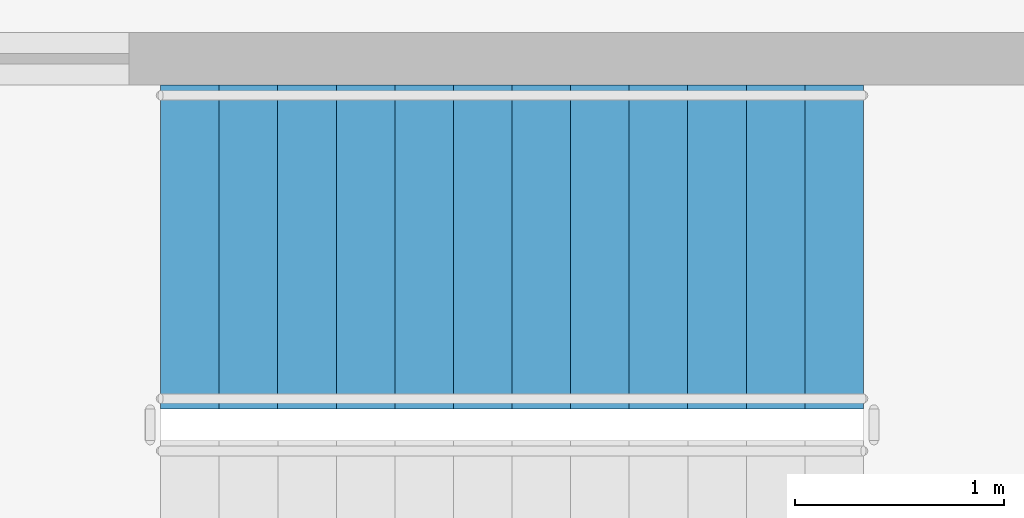
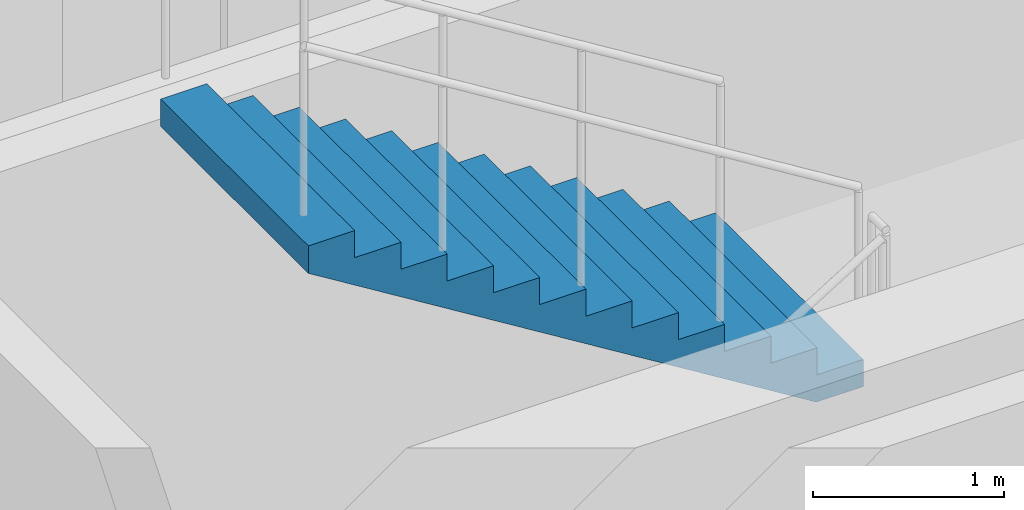
# One storey, part 19 of 25: 1 stair flight, 1 element without a shape of its own.
"""IFC4 building model written with IfcOpenShell, lengths in metres."""

from ifc_helpers import new_model, si_unit, direction, frame, origin, place, context, subcontext, project, spatial, polyline, outline, extrude, material, type_object, element, aggregate, save


model = new_model("IFC4")

# Units and contexts
model_context = context("Model", 3, precision=1e-05, world=origin(), true_north=direction((0.0, 1.0)))
body_context = subcontext(model_context, "Body", "Model", "MODEL_VIEW")
ifc_project = project(units=[si_unit("LENGTHUNIT", "METRE"), si_unit("AREAUNIT", "SQUARE_METRE"), si_unit("VOLUMEUNIT", "CUBIC_METRE"), si_unit("PLANEANGLEUNIT", "RADIAN"), si_unit("MASSUNIT", "GRAM", prefix="KILO")], contexts=[model_context])

# Site, building, storey
site_placement = place(None, origin())
site = spatial("IfcSite", under=ifc_project, at=site_placement, CompositionType="ELEMENT")
building_placement = place(site_placement, origin())
building = spatial("IfcBuilding", under=site, at=building_placement, Name="Amberfall Residences", CompositionType="ELEMENT")
storey_placement = place(building_placement, frame((0.0, 0.0, 10.0)))
storey = spatial("IfcBuildingStorey", under=building, at=storey_placement, Name="L02", CompositionType="ELEMENT", Elevation=10.0)

# Stair, stair flight
ifc_material = material(Name="Concrete C40", Category="concrete")
stair_type = type_object("IfcStairType", Name="School stair", PredefinedType="HALF_TURN_STAIR", material=ifc_material)
stair_placement = place(storey_placement, origin())
stair = element("IfcStair", 1, at=stair_placement, inside=storey, type_object=stair_type, Name="L02 Stair SS5", PredefinedType="HALF_TURN_STAIR")
stair_flight_type = type_object("IfcStairFlightType", Name="School stair flight", PredefinedType="STRAIGHT", material=ifc_material)
stair_flight_placement = place(storey_placement, frame((96.66796875, 71.47509765625, 2.25), z_axis=(0.0, 0.0, 1.0), x_axis=(-1.0, 0.0, 0.0)))
stair_flight = element("IfcStairFlight", 2, at=stair_flight_placement, type_object=stair_flight_type, Name="SS5 flight 2", NumberOfRisers=13, NumberOfTreads=12, PredefinedType="STRAIGHT", RiserHeight=0.173076923, TreadLength=0.28, context=body_context, shape_type="SweptSolid", body=[
    extrude(outline(polyline([(0.0, 0.0), (0.0, 0.173095703125), (0.280029296875, 0.173095703125), (0.280029296875, 0.34619140625), (0.56005859375, 0.34619140625), (0.56005859375, 0.519287109375), (0.840087890625, 0.519287109375), (0.840087890625, 0.6923828125), (1.1201171875, 0.6923828125), (1.1201171875, 0.865478515625), (1.39990234375, 0.865478515625), (1.39990234375, 1.03857421875), (1.679931640625, 1.03857421875), (1.679931640625, 1.21142578125), (1.9599609375, 1.21142578125), (1.9599609375, 1.384521484375), (2.239990234375, 1.384521484375), (2.239990234375, 1.5576171875), (2.52001953125, 1.5576171875), (2.52001953125, 1.730712890625), (2.800048828125, 1.730712890625), (2.800048828125, 1.90380859375), (3.080078125, 1.90380859375), (3.080078125, 2.076904296875), (3.360107421875, 2.076904296875), (3.360107421875, 2.25), (3.360107421875, 1.900634765625), (0.28515625, 0.0), (0.0, 0.0)])), frame((0.0, 0.77490234375, 0.0), z_axis=(0.0, -1.0, 0.0), x_axis=(1.0, 0.0, 0.0)), (0.0, 0.0, 1.0), 1.550048828125),
])
aggregate(stair, [stair_flight])

save(model, "model.ifc")
